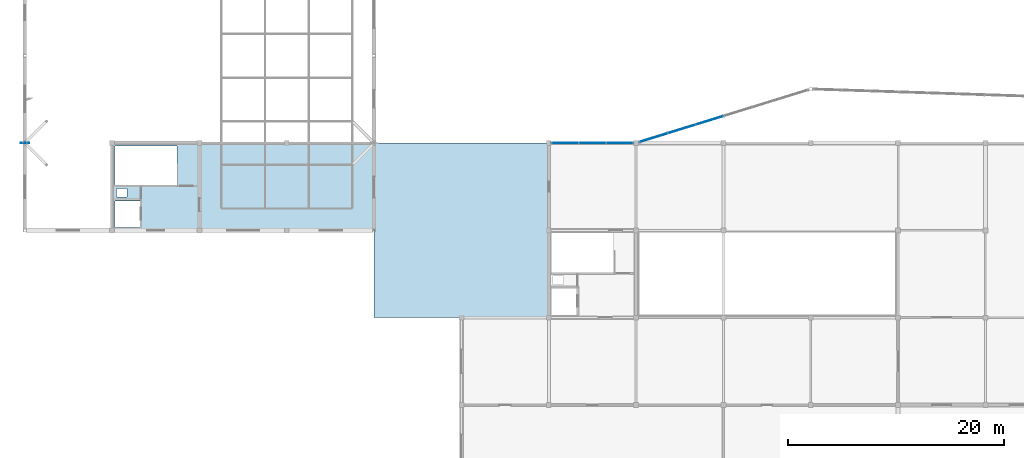
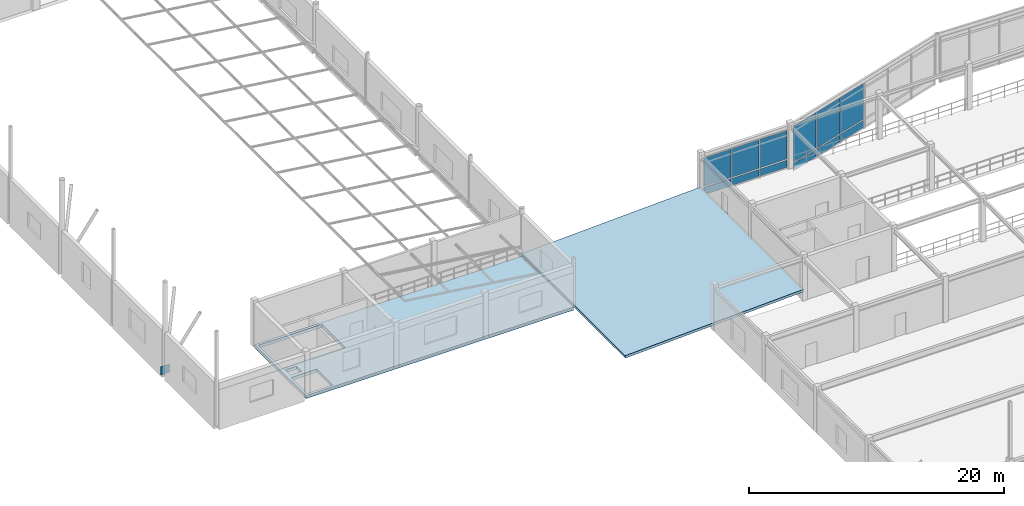
# One storey, part 50 of 89: 13 plates, 2 slabs, 2 elements without a shape of their own.
"""IFC4 building model written with IfcOpenShell, lengths in metres."""

from ifc_helpers import new_model, si_unit, direction, frame, origin, origin_2d, place, context, subcontext, project, spatial, polyline, rectangle, outline, extrude, material, layer, layer_set, type_object, element, aggregate, save


model = new_model("IFC4")

# Units and contexts
model_context = context("Model", 3, precision=1e-05, world=origin(), true_north=direction((0.0, 1.0)))
body_context = subcontext(model_context, "Body", "Model", "MODEL_VIEW")
ifc_project = project(units=[si_unit("LENGTHUNIT", "METRE"), si_unit("AREAUNIT", "SQUARE_METRE"), si_unit("VOLUMEUNIT", "CUBIC_METRE"), si_unit("PLANEANGLEUNIT", "RADIAN"), si_unit("MASSUNIT", "GRAM", prefix="KILO")], contexts=[model_context])

# Site, building, storey
site_placement = place(None, origin())
site = spatial("IfcSite", under=ifc_project, at=site_placement, CompositionType="ELEMENT")
building_placement = place(site_placement, origin())
building = spatial("IfcBuilding", under=site, at=building_placement, Name="Vaudrelin Polytechnic", CompositionType="ELEMENT")
storey_placement = place(building_placement, frame((0.0, 0.0, 9.68994140625)))
storey = spatial("IfcBuildingStorey", under=building, at=storey_placement, Name="L02", CompositionType="ELEMENT", Elevation=9.68994140625)

# Curtain wall, plates
ifc_material_1 = material(Name="Thermally broken anodised aluminium AA 6063-T6 and low-e triple glazing", Category="aluminium")
ifc_layer_1 = layer(ifc_material_1, 0.199951171875)
ifc_layer_set_1 = layer_set([ifc_layer_1], Name="Thermally broken anodised aluminium AA 6063-T6 and low-e triple glazing")
curtain_wall_type = type_object("IfcCurtainWallType", Name="CW-CW-WG", PredefinedType="USERDEFINED", material=ifc_layer_set_1)
curtain_wall_1_placement = place(storey_placement, origin())
curtain_wall_1 = element("IfcCurtainWall", 1, at=curtain_wall_1_placement, inside=storey, type_object=curtain_wall_type, Name="Curtain wall L02 CT_S_00", ObjectType="CURTAIN WALL", PredefinedType="USERDEFINED")
ifc_material_2 = material(Name="Insulated ceramic-frit spandrel glass panel", Category="glass")
ifc_layer_2 = layer(ifc_material_2, 0.052001953125)
ifc_layer_set_2 = layer_set([ifc_layer_2], Name="Insulated ceramic-frit spandrel glass panel")
plate_type_1 = type_object("IfcPlateType", Name="PLT-GLZ-SPAND", PredefinedType="CURTAIN_PANEL", material=ifc_layer_set_2)
plate_1_placement = place(storey_placement, frame((50.0986328125, 48.60009765625, 0.08984375), z_axis=(0.0, 0.0, 1.0), x_axis=(1.0, 0.0, 0.0)))
plate_1 = element("IfcPlate", 2, at=plate_1_placement, type_object=plate_type_1, Name="CT_S_00 spandrel panel 1", PredefinedType="CURTAIN_PANEL", context=body_context, shape_type="SweptSolid", body=[
    extrude(rectangle(XDim=2.451416015625, YDim=0.052001953125, at=origin_2d()), origin(), (0.0, 0.0, 1.0), 0.699951171875),
])
plate_2_placement = place(storey_placement, frame((52.64990234375, 48.60009765625, 0.08984375), z_axis=(0.0, 0.0, 1.0), x_axis=(1.0, 0.0, 0.0)))
plate_2 = element("IfcPlate", 3, at=plate_2_placement, type_object=plate_type_1, Name="CT_S_00 spandrel panel 2", PredefinedType="CURTAIN_PANEL", context=body_context, shape_type="SweptSolid", body=[
    extrude(rectangle(XDim=2.451416015625, YDim=0.052001953125, at=origin_2d()), origin(), (0.0, 0.0, 1.0), 0.699951171875),
])
plate_3_placement = place(storey_placement, frame((55.201416015625, 48.60009765625, 0.08984375), z_axis=(0.0, 0.0, 1.0), x_axis=(1.0, 0.0, 0.0)))
plate_3 = element("IfcPlate", 4, at=plate_3_placement, type_object=plate_type_1, Name="CT_S_00 spandrel panel 3", PredefinedType="CURTAIN_PANEL", context=body_context, shape_type="SweptSolid", body=[
    extrude(rectangle(XDim=2.451416015625, YDim=0.052001953125, at=origin_2d()), origin(), (0.0, 0.0, 1.0), 0.699951171875),
])

curtain_wall_2_placement = place(storey_placement, origin())
curtain_wall_2 = element("IfcCurtainWall", 5, at=curtain_wall_2_placement, inside=storey, type_object=curtain_wall_type, Name="Curtain wall L02 CT_OR1_1_0", ObjectType="CURTAIN WALL", PredefinedType="USERDEFINED")
plate_4_placement = place(storey_placement, frame((58.311279296875, 49.097412109375, -0.5400390625), z_axis=(0.0, 0.0, 1.0), x_axis=(0.955523502988, 0.294914962723, 0.0)))
plate_4 = element("IfcPlate", 6, at=plate_4_placement, type_object=plate_type_1, Name="CT_OR1_1_0 spandrel panel 1", PredefinedType="CURTAIN_PANEL", context=body_context, shape_type="SweptSolid", body=[
    extrude(rectangle(XDim=2.631591796875, YDim=0.052001953125, at=origin_2d()), origin(), (0.0, 0.0, 1.0), 0.699951171875),
])
plate_5_placement = place(storey_placement, frame((60.92138671875, 49.90283203125, -0.5400390625), z_axis=(0.0, 0.0, 1.0), x_axis=(0.955523502988, 0.294914962723, 0.0)))
plate_5 = element("IfcPlate", 7, at=plate_5_placement, type_object=plate_type_1, Name="CT_OR1_1_0 spandrel panel 2", PredefinedType="CURTAIN_PANEL", context=body_context, shape_type="SweptSolid", body=[
    extrude(rectangle(XDim=2.631591796875, YDim=0.052001953125, at=origin_2d()), origin(), (0.0, 0.0, 1.0), 0.699951171875),
])
plate_6_placement = place(storey_placement, frame((63.53125, 50.70849609375, -0.5400390625), z_axis=(0.0, 0.0, 1.0), x_axis=(0.955523502988, 0.294914962723, 0.0)))
plate_6 = element("IfcPlate", 8, at=plate_6_placement, type_object=plate_type_1, Name="CT_OR1_1_0 spandrel panel 3", PredefinedType="CURTAIN_PANEL", context=body_context, shape_type="SweptSolid", body=[
    extrude(rectangle(XDim=2.631591796875, YDim=0.052001953125, at=origin_2d()), origin(), (0.0, 0.0, 1.0), 0.699951171875),
])

# Plate
ifc_material_3 = material(Name="Triple low-e argon insulated glazing unit", Category="glass")
ifc_layer_3 = layer(ifc_material_3, 0.0439453125)
ifc_layer_set_3 = layer_set([ifc_layer_3], Name="Triple low-e argon insulated glazing unit")
plate_type_2 = type_object("IfcPlateType", Name="PLT-GLZ-TRIPLE", PredefinedType="CURTAIN_PANEL", material=ifc_layer_set_3)
plate_7_placement = place(storey_placement, frame((50.0986328125, 48.60009765625, 0.900146484375), z_axis=(0.0, 0.0, 1.0), x_axis=(1.0, 0.0, 0.0)))
plate_7 = element("IfcPlate", 9, at=plate_7_placement, type_object=plate_type_2, Name="CT_S_00 vision panel 1", PredefinedType="CURTAIN_PANEL", context=body_context, shape_type="SweptSolid", body=[
    extrude(rectangle(XDim=2.451416015625, YDim=0.0439453125, at=origin_2d()), origin(), (0.0, 0.0, 1.0), 2.72705078125),
])

plate_8_placement = place(storey_placement, frame((52.64990234375, 48.60009765625, 0.900146484375), z_axis=(0.0, 0.0, 1.0), x_axis=(1.0, 0.0, 0.0)))
plate_8 = element("IfcPlate", 10, at=plate_8_placement, type_object=plate_type_2, Name="CT_S_00 vision panel 2", PredefinedType="CURTAIN_PANEL", context=body_context, shape_type="SweptSolid", body=[
    extrude(rectangle(XDim=2.451416015625, YDim=0.0439453125, at=origin_2d()), origin(), (0.0, 0.0, 1.0), 2.72705078125),
])

plate_9_placement = place(storey_placement, frame((55.201416015625, 48.60009765625, 0.900146484375), z_axis=(0.0, 0.0, 1.0), x_axis=(1.0, 0.0, 0.0)))
plate_9 = element("IfcPlate", 11, at=plate_9_placement, type_object=plate_type_2, Name="CT_S_00 vision panel 3", PredefinedType="CURTAIN_PANEL", context=body_context, shape_type="SweptSolid", body=[
    extrude(rectangle(XDim=2.451416015625, YDim=0.0439453125, at=origin_2d()), origin(), (0.0, 0.0, 1.0), 2.72705078125),
])

aggregate(curtain_wall_1, [plate_1, plate_7, plate_2, plate_8, plate_3, plate_9])

plate_10_placement = place(storey_placement, frame((58.311279296875, 49.097412109375, 0.27001953125), z_axis=(0.0, 0.0, 1.0), x_axis=(0.955523502988, 0.294914962723, 0.0)))
plate_10 = element("IfcPlate", 12, at=plate_10_placement, type_object=plate_type_2, Name="CT_OR1_1_0 vision panel 1", PredefinedType="CURTAIN_PANEL", context=body_context, shape_type="SweptSolid", body=[
    extrude(rectangle(XDim=2.631591796875, YDim=0.0439453125, at=origin_2d()), origin(), (0.0, 0.0, 1.0), 3.43994140625),
])

plate_11_placement = place(storey_placement, frame((60.92138671875, 49.90283203125, 0.27001953125), z_axis=(0.0, 0.0, 1.0), x_axis=(0.955523502988, 0.294914962723, 0.0)))
plate_11 = element("IfcPlate", 13, at=plate_11_placement, type_object=plate_type_2, Name="CT_OR1_1_0 vision panel 2", PredefinedType="CURTAIN_PANEL", context=body_context, shape_type="SweptSolid", body=[
    extrude(rectangle(XDim=2.631591796875, YDim=0.0439453125, at=origin_2d()), origin(), (0.0, 0.0, 1.0), 3.43994140625),
])

plate_12_placement = place(storey_placement, frame((63.53125, 50.70849609375, 0.27001953125), z_axis=(0.0, 0.0, 1.0), x_axis=(0.955523502988, 0.294914962723, 0.0)))
plate_12 = element("IfcPlate", 14, at=plate_12_placement, type_object=plate_type_2, Name="CT_OR1_1_0 vision panel 3", PredefinedType="CURTAIN_PANEL", context=body_context, shape_type="SweptSolid", body=[
    extrude(rectangle(XDim=2.631591796875, YDim=0.0439453125, at=origin_2d()), origin(), (0.0, 0.0, 1.0), 3.43994140625),
])

aggregate(curtain_wall_2, [plate_4, plate_10, plate_5, plate_11, plate_6, plate_12])

ifc_material_4 = material(Name="Steel CSA G40.21 350WT", Category="steel")
ifc_layer_4 = layer(ifc_material_4, 0.028076171875)
ifc_layer_set_4 = layer_set([ifc_layer_4], Name="Steel CSA G40.21 350WT")
plate_type_3 = type_object("IfcPlateType", Name="PLT-GP-02", PredefinedType="USERDEFINED", material=ifc_layer_set_4)
plate_13_placement = place(storey_placement, frame((0.0, 48.60009765625, 0.0498046875), z_axis=(0.0, 0.0, 1.0), x_axis=(1.0, 0.0, 0.0)))
element("IfcPlate", 15, at=plate_13_placement, inside=storey, type_object=plate_type_3, Name="Space frame tree capital gusset plate GP-01", ObjectType="GUSSET PLATE", PredefinedType="USERDEFINED", context=body_context, shape_type="SweptSolid", body=[
    extrude(rectangle(XDim=0.800048828125, YDim=0.028076171875, at=origin_2d()), origin(), (0.0, 0.0, 1.0), 0.800048828125),
])

# Slabs
ifc_material_5 = material(Name="Concrete 35 MPa", Category="concrete")
ifc_layer_5 = layer(ifc_material_5, 0.2900390625)
ifc_layer_set_5 = layer_set([ifc_layer_5], Name="Concrete 35 MPa")
slab_type_1 = type_object("IfcSlabType", Name="SLB-SL-F290", PredefinedType="FLOOR", material=ifc_layer_set_5)
slab_1_placement = place(storey_placement, frame((0.0, 0.0, -0.2900390625)))
element("IfcSlab", 16, at=slab_1_placement, inside=storey, type_object=slab_type_1, Name="L02 floor slab V1-CAT", PredefinedType="FLOOR", context=body_context, shape_type="SweptSolid", body=[
    extrude(outline(polyline([(8.10009765625, 40.5), (32.39990234375, 40.5), (32.39990234375, 48.60009765625), (8.10009765625, 48.60009765625), (8.10009765625, 40.5)]), holes=[polyline([(8.35009765625, 44.7099609375), (14.10009765625, 44.7099609375), (14.10009765625, 48.35009765625), (8.35009765625, 48.35009765625), (8.35009765625, 44.7099609375)]), polyline([(8.35009765625, 40.75), (10.679931640625, 40.75), (10.679931640625, 43.22998046875), (8.35009765625, 43.22998046875), (8.35009765625, 40.75)]), polyline([(8.47998046875, 43.580078125), (9.47998046875, 43.580078125), (9.47998046875, 44.3798828125), (8.47998046875, 44.3798828125), (8.47998046875, 43.580078125)])]), origin(), (0.0, 0.0, 1.0), 0.2900390625),
])
ifc_layer_6 = layer(ifc_material_5, 0.2451171875)
ifc_layer_set_6 = layer_set([ifc_layer_6], Name="Concrete 35 MPa")
slab_type_2 = type_object("IfcSlabType", Name="SLB-SL-RF245", PredefinedType="ROOF", material=ifc_layer_set_6)
slab_2_placement = place(storey_placement, frame((32.39990234375, 32.39990234375, 0.2451171875), z_axis=(-0.043466626038, 0.0, 0.999054879584), x_axis=(0.999054879584, 0.0, 0.043466626038)))
element("IfcSlab", 17, at=slab_2_placement, inside=storey, type_object=slab_type_2, Name="Concourse west link sloped roof", PredefinedType="ROOF", context=body_context, shape_type="SweptSolid", body=[
    extrude(outline(polyline([(0.0, 0.0), (16.215520932386877, 0.0), (16.215520932386877, 16.2001953125), (0.0, 16.2001953125), (0.0, 0.0)])), origin(), (0.0, 0.0, -1.0), 0.2451171875),
])

save(model, "model.ifc")
